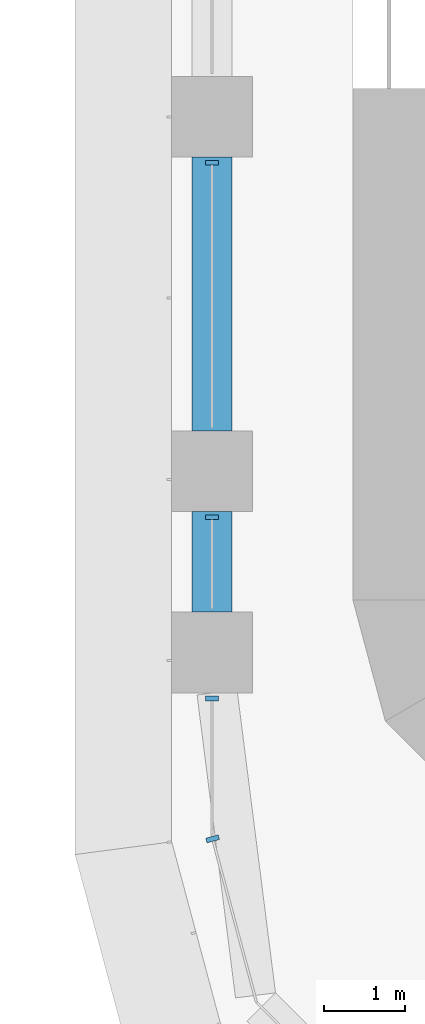
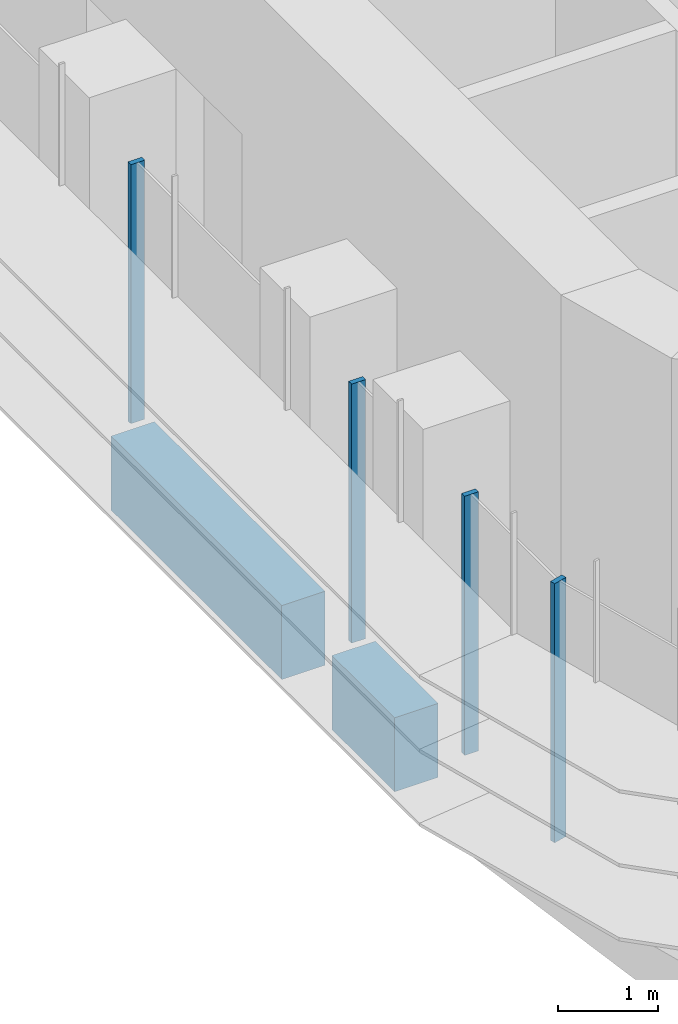
# One storey, part 2 of 23: 4 members, 2 beams, 2 elements without a shape of their own.
"""IFC4 building model written with IfcOpenShell, lengths in metres."""

import ifcopenshell
import ifcopenshell.guid

model = None  # the IFC model being written
_history = None  # IfcOwnerHistory: only IFC2X3 demands one
_inside = {}  # id of a spatial element -> (the spatial element, [elements in it])
_under = {}  # id of a project, library or spatial element -> (it, [spatial elements below it])
_declared = {}  # id of a project -> (the project, [libraries it declares])
_typed = {}  # id of a type object -> (the type object, [elements of that type])
_made_of = {}  # id of a material, layer set ... -> (it, [elements and type objects made of it])


def new_model(schema):
    """Start an empty IFC model of exactly this schema.

    Asked for "IFC4X3", IfcOpenShell would pick the latest addendum, in which some entities
    have other attributes; the version numbers below select the first issue.
    IFC2X3 requires an IfcOwnerHistory on every rooted entity: one is made here for all.
    """
    global model, _history
    if schema == "IFC4X3":
        model = ifcopenshell.file(schema_version=(4, 3, 0, 0))
    else:
        model = ifcopenshell.file(schema=schema)
    _inside.clear()
    _under.clear()
    _declared.clear()
    _typed.clear()
    _made_of.clear()
    _history = None
    if model.schema == "IFC2X3":
        org = make("IfcOrganization", Name="unknown")
        user = make(
            "IfcPersonAndOrganization",
            ThePerson=make("IfcPerson", FamilyName="unknown"),
            TheOrganization=org,
        )
        app = make(
            "IfcApplication",
            ApplicationDeveloper=org,
            Version="unknown",
            ApplicationFullName="unknown",
            ApplicationIdentifier="unknown",
        )
        _history = make(
            "IfcOwnerHistory",
            OwningUser=user,
            OwningApplication=app,
            ChangeAction="ADDED",
            CreationDate=0,
        )
    return model


def make(cls, **values):
    """One entity of the class cls with the attributes given. An attribute that is None is left unset."""
    return model.create_entity(
        cls, **{name: value for name, value in values.items() if value is not None}
    )


def rooted(cls, **values):
    """An entity with a GlobalId (a new one), such as an element, a storey or a relation."""
    return make(cls, GlobalId=ifcopenshell.guid.new(), OwnerHistory=_history, **values)


def si_unit(unit_type, name, prefix=None):
    """IfcSIUnit, for example si_unit("LENGTHUNIT", "METRE", prefix="MILLI")."""
    return make("IfcSIUnit", UnitType=unit_type, Prefix=prefix, Name=name)


def assignment(units):
    """IfcUnitAssignment: the units of a project."""
    return None if units is None else make("IfcUnitAssignment", Units=units)


def point(xyz):
    """IfcCartesianPoint."""
    return None if xyz is None else make("IfcCartesianPoint", Coordinates=xyz)


def direction(xyz):
    """IfcDirection."""
    return None if xyz is None else make("IfcDirection", DirectionRatios=xyz)


def frame(location, z_axis=None, x_axis=None):
    """IfcAxis2Placement3D, a coordinate frame: its origin and axes. An axis left out is left unset."""
    return make(
        "IfcAxis2Placement3D",
        Location=point(location),
        Axis=direction(z_axis),
        RefDirection=direction(x_axis),
    )


def frame_2d(location, x_axis=None):
    """IfcAxis2Placement2D, a coordinate frame in the plane: its origin and x axis."""
    return make(
        "IfcAxis2Placement2D", Location=point(location), RefDirection=direction(x_axis)
    )


def origin():
    """The frame at (0, 0, 0) with its axes left unset."""
    return frame((0.0, 0.0, 0.0))


def origin_2d():
    """The frame at (0, 0) in the plane with its x axis left unset."""
    return frame_2d((0.0, 0.0))


def place(relative_to, where):
    """IfcLocalPlacement: puts the frame where relative to a parent placement (None: the world)."""
    return make(
        "IfcLocalPlacement", PlacementRelTo=relative_to, RelativePlacement=where
    )


def context(
    kind, dimensions, precision=None, world=None, true_north=None, identifier=None
):
    """IfcGeometricRepresentationContext, for example the 3D "Model" context."""
    return make(
        "IfcGeometricRepresentationContext",
        ContextIdentifier=identifier,
        ContextType=kind,
        CoordinateSpaceDimension=dimensions,
        Precision=precision,
        WorldCoordinateSystem=world,
        TrueNorth=true_north,
    )


def subcontext(parent, identifier, kind, view, scale=None):
    """IfcGeometricRepresentationSubContext, for example "Body" below "Model"."""
    return make(
        "IfcGeometricRepresentationSubContext",
        ContextIdentifier=identifier,
        ContextType=kind,
        ParentContext=parent,
        TargetScale=scale,
        TargetView=view,
    )


def project(units=None, contexts=None):
    """IfcProject with its units and contexts."""
    return rooted(
        "IfcProject",
        Name="project",
        RepresentationContexts=contexts,
        UnitsInContext=assignment(units),
    )


def spatial(cls, under=None, at=None, **own):
    """A site, building, storey or space (cls), placed at a placement, below another one or the project."""
    s = rooted(cls, ObjectPlacement=at, **own)
    if under is not None:
        _under.setdefault(under.id(), (under, []))[1].append(s)
    return s


def polyline(points):
    """IfcPolyline through the points."""
    return make("IfcPolyline", Points=[point(p) for p in points])


def profile(cls, at=None, kind="AREA", **sizes):
    """A parametric profile (cls). Its sizes go by their IFC names, for example OverallWidth=200.0."""
    return make(cls, ProfileType=kind, Position=at, **sizes)


def rectangle(**sizes):
    """IfcRectangleProfileDef."""
    return profile("IfcRectangleProfileDef", **sizes)


def outline(outer, holes=None, kind="AREA"):
    """IfcArbitraryClosedProfileDef: a profile drawn as a closed curve; with holes, ...WithVoids."""
    if holes is None:
        return make("IfcArbitraryClosedProfileDef", ProfileType=kind, OuterCurve=outer)
    return make(
        "IfcArbitraryProfileDefWithVoids",
        ProfileType=kind,
        OuterCurve=outer,
        InnerCurves=holes,
    )


def extrude(swept, where, along, depth):
    """IfcExtrudedAreaSolid: the profile swept, set in the frame where, extruded along a direction by depth."""
    return make(
        "IfcExtrudedAreaSolid",
        SweptArea=swept,
        Position=where,
        ExtrudedDirection=direction(along),
        Depth=depth,
    )


def shape(context_of_items, identifier, shape_type, items):
    """IfcShapeRepresentation: the items that make up one representation, for example the "Body"."""
    return make(
        "IfcShapeRepresentation",
        ContextOfItems=context_of_items,
        RepresentationIdentifier=identifier,
        RepresentationType=shape_type,
        Items=items,
    )


def source(mapping_origin, context_of_items, identifier, shape_type, items):
    """IfcRepresentationMap: a shape defined once, which mapped items show again and again."""
    return make(
        "IfcRepresentationMap",
        MappingOrigin=mapping_origin,
        MappedRepresentation=shape(context_of_items, identifier, shape_type, items),
    )


def transform(
    local_origin,
    x_axis=None,
    y_axis=None,
    z_axis=None,
    scale=None,
    scale2=None,
    scale3=None,
    uniform=True,
):
    """IfcCartesianTransformationOperator3D, or its non-uniform kind. x_axis, y_axis, z_axis: its Axis1, 2, 3."""
    if uniform:
        return make(
            "IfcCartesianTransformationOperator3D",
            Axis1=direction(x_axis),
            Axis2=direction(y_axis),
            LocalOrigin=point(local_origin),
            Scale=scale,
            Axis3=direction(z_axis),
        )
    return make(
        "IfcCartesianTransformationOperator3DnonUniform",
        Axis1=direction(x_axis),
        Axis2=direction(y_axis),
        LocalOrigin=point(local_origin),
        Scale=scale,
        Axis3=direction(z_axis),
        Scale2=scale2,
        Scale3=scale3,
    )


def mapped(mapping_source, mapping_target):
    """IfcMappedItem: shows the shape of a source again, moved by a transform."""
    return make(
        "IfcMappedItem", MappingSource=mapping_source, MappingTarget=mapping_target
    )


def material(Name=None, Category=None):
    """IfcMaterial."""
    return make("IfcMaterial", Name=Name, Category=Category)


def material_profile(
    of_material, cross_section, Name=None, Category=None, Priority=None
):
    """IfcMaterialProfile: a cross section and its material."""
    return make(
        "IfcMaterialProfile",
        Name=Name,
        Material=of_material,
        Profile=cross_section,
        Priority=Priority,
        Category=Category,
    )


def profile_set(profiles, Name=None, composite=None):
    """IfcMaterialProfileSet."""
    return make(
        "IfcMaterialProfileSet",
        Name=Name,
        MaterialProfiles=profiles,
        CompositeProfile=composite,
    )


def made_of(thing, what):
    """Note that an element or type object is made of a material, layer set ...; save() writes the relation."""
    if what is not None:
        _made_of.setdefault(what.id(), (what, []))[1].append(thing)
    return thing


def type_object(cls, material=None, **own):
    """A type object (cls), such as IfcWallType, which elements share."""
    return made_of(rooted(cls, **own), material)


def element(
    cls,
    number,
    at=None,
    inside=None,
    cuts=None,
    type_object=None,
    material=None,
    context=None,
    identifier="Body",
    shape_type=None,
    held_by="IfcProductDefinitionShape",
    body=None,
    shapes=None,
    **own,
):
    """One element of the class cls, such as IfcWall. Its Tag is "e" and its number.

    at: its placement. inside: the storey or other place that contains it. cuts: it is an
    opening in that element (IfcRelVoidsElement). A single representation is given by context,
    identifier, shape_type and body (its items); several are given by shapes. held_by: the class
    of the entity that holds the representations. save() writes the other relations.
    """
    e = rooted(cls, Tag="e%d" % number, ObjectPlacement=at, **own)
    if body is not None:
        shapes = [shape(context, identifier, shape_type, body)]
    if shapes is not None:
        e.Representation = make(held_by, Representations=shapes)
    if inside is not None:
        _inside.setdefault(inside.id(), (inside, []))[1].append(e)
    if cuts is not None:
        rooted(
            "IfcRelVoidsElement", RelatingBuildingElement=cuts, RelatedOpeningElement=e
        )
    if type_object is not None:
        _typed.setdefault(type_object.id(), (type_object, []))[1].append(e)
    return made_of(e, material)


def aggregate(whole, parts):
    """IfcRelAggregates: a whole, such as a stair, and the parts it consists of."""
    return rooted("IfcRelAggregates", RelatingObject=whole, RelatedObjects=parts)


def save(model, path):
    """Write the relations noted so far, then the file.

    IfcRelAggregates (storeys below a building ...), IfcRelContainedInSpatialStructure (elements
    in a storey), IfcRelDefinesByType, IfcRelAssociatesMaterial and IfcRelDeclares: one each for
    every whole, place, type object, material and project.
    """
    for whole, parts in _under.values():
        aggregate(whole, parts)
    for where, things in _inside.values():
        rooted(
            "IfcRelContainedInSpatialStructure",
            RelatedElements=things,
            RelatingStructure=where,
        )
    for kind, things in _typed.values():
        rooted("IfcRelDefinesByType", RelatedObjects=things, RelatingType=kind)
    for what, things in _made_of.values():
        rooted("IfcRelAssociatesMaterial", RelatedObjects=things, RelatingMaterial=what)
    for by, libraries in _declared.values():
        rooted("IfcRelDeclares", RelatingContext=by, RelatedDefinitions=libraries)
    model.write(path)


model = new_model("IFC4")

# Units and contexts
model_context = context("Model", 3, precision=1e-05, world=origin(), true_north=direction((0.0, 1.0)))
body_context = subcontext(model_context, "Body", "Model", "MODEL_VIEW")
ifc_project = project(units=[si_unit("LENGTHUNIT", "METRE"), si_unit("AREAUNIT", "SQUARE_METRE"), si_unit("VOLUMEUNIT", "CUBIC_METRE"), si_unit("PLANEANGLEUNIT", "RADIAN"), si_unit("MASSUNIT", "GRAM", prefix="KILO")], contexts=[model_context])

# Site, building, storey
site_placement = place(None, origin())
site = spatial("IfcSite", under=ifc_project, at=site_placement, CompositionType="ELEMENT")
building_placement = place(site_placement, origin())
building = spatial("IfcBuilding", under=site, at=building_placement, Name="Zarbagh Exchange Tower", CompositionType="ELEMENT")
storey_placement = place(building_placement, frame((0.0, 0.0, 35.39990234375)))
storey = spatial("IfcBuildingStorey", under=building, at=storey_placement, Name="L07", CompositionType="ELEMENT", Elevation=35.39990234375)

# Beams
ifc_material_1 = material(Name="Concrete C60/75", Category="concrete")
ifc_material_profile = material_profile(ifc_material_1, rectangle(XDim=0.5, YDim=0.89990234375, at=origin_2d()), Name="RC spandrel beam 500 x 900 C60/75")
ifc_profile_set = profile_set([ifc_material_profile], Name="Concrete C60/75")
beam_type = type_object("IfcBeamType", Name="RC spandrel beam 500 x 900 C60/75", PredefinedType="SPANDREL", material=ifc_profile_set)
beam_1_placement = place(storey_placement, frame((-6.25, -26.39990234375, -0.599853515625), z_axis=(0.0, 1.0, 0.0), x_axis=(-1.0, 0.0, 0.0)))
element("IfcBeam", 1, at=beam_1_placement, inside=storey, type_object=beam_type, Name="RC spandrel beam", PredefinedType="SPANDREL", context=body_context, shape_type="SweptSolid", body=[
    extrude(rectangle(XDim=0.5, YDim=0.89990234375, at=origin_2d()), origin(), (0.0, 0.0, 1.0), 1.25),
])
beam_2_placement = place(storey_placement, frame((-6.25, -24.14990234375, -0.599853515625), z_axis=(0.0, 1.0, 0.0), x_axis=(-1.0, 0.0, 0.0)))
element("IfcBeam", 2, at=beam_2_placement, inside=storey, type_object=beam_type, Name="RC spandrel beam", PredefinedType="SPANDREL", context=body_context, shape_type="SweptSolid", body=[
    extrude(rectangle(XDim=0.5, YDim=0.89990234375, at=origin_2d()), origin(), (0.0, 0.0, 1.0), 3.39990234375),
])

# Curtain wall, members
ifc_material_2 = material(Name="Anodised aluminium frame and glazing", Category="aluminium")
curtain_wall_type = type_object("IfcCurtainWallType", Name="CWA Ribbon glazing, lower zones", PredefinedType="NOTDEFINED", material=ifc_material_2)
curtain_wall_1_placement = place(storey_placement, origin())
curtain_wall_1 = element("IfcCurtainWall", 3, at=curtain_wall_1_placement, inside=storey, type_object=curtain_wall_type, Name="CWA44 curtain wall", PredefinedType="NOTDEFINED")
ifc_material_3 = material(Name="Anodised aluminium frame", Category="aluminium")
member_type = type_object("IfcMemberType", Name="MUA Mullion, anodised aluminium frame", PredefinedType="MULLION", material=ifc_material_3)
shared_shape = source(origin(), body_context, "Body", "SweptSolid", [
    extrude(outline(polyline([(0.0, -0.080078125), (0.06005859375, -0.080078125), (0.06005859375, 0.080078125), (0.0, 0.080078125), (0.0, -0.080078125)])), origin(), (0.0, 0.0, 1.0), 3.14990234375),
])
placement = place(storey_placement, origin())
member_1 = element("IfcMember", 4, at=placement, type_object=member_type, Name="CWA44 mullion 3.1", PredefinedType="MULLION", context=body_context, shape_type="MappedRepresentation", body=[
    mapped(shared_shape, transform((-6.25, -20.7900390625, 0.0), x_axis=(0.0, -1.0, 0.0), y_axis=(1.0, 0.0, 0.0), z_axis=(0.0, 0.0, 1.0))),
])
member_2 = element("IfcMember", 5, at=placement, type_object=member_type, Name="CWA44 mullion 4.1", PredefinedType="MULLION", context=body_context, shape_type="MappedRepresentation", body=[
    mapped(shared_shape, transform((-6.25, -25.18994140625, 0.0), x_axis=(0.0, -1.0, 0.0), y_axis=(1.0, 0.0, 0.0), z_axis=(0.0, 0.0, 1.0))),
])
member_3 = element("IfcMember", 6, at=placement, type_object=member_type, Name="CWA44 mullion 5.1", PredefinedType="MULLION", context=body_context, shape_type="MappedRepresentation", body=[
    mapped(shared_shape, transform((-6.25, -27.43994140625, 0.0), x_axis=(0.0, -1.0, 0.0), y_axis=(1.0, 0.0, 0.0), z_axis=(0.0, 0.0, 1.0))),
])
aggregate(curtain_wall_1, [member_1, member_2, member_3])

# Curtain wall, member
curtain_wall_2_placement = place(storey_placement, origin())
curtain_wall_2 = element("IfcCurtainWall", 7, at=curtain_wall_2_placement, inside=storey, type_object=curtain_wall_type, Name="CWA45 curtain wall", PredefinedType="NOTDEFINED")
member_4 = element("IfcMember", 8, at=placement, type_object=member_type, Name="CWA45 mullion 1.1", PredefinedType="MULLION", context=body_context, shape_type="MappedRepresentation", body=[
    mapped(shared_shape, transform((-6.25, -29.18408203125, 0.0), x_axis=(0.258824779902, -0.965924289636, 0.0), y_axis=(0.965924289636, 0.258824779902, 0.0), z_axis=(0.0, 0.0, 1.0))),
])
aggregate(curtain_wall_2, [member_4])

save(model, "model.ifc")
